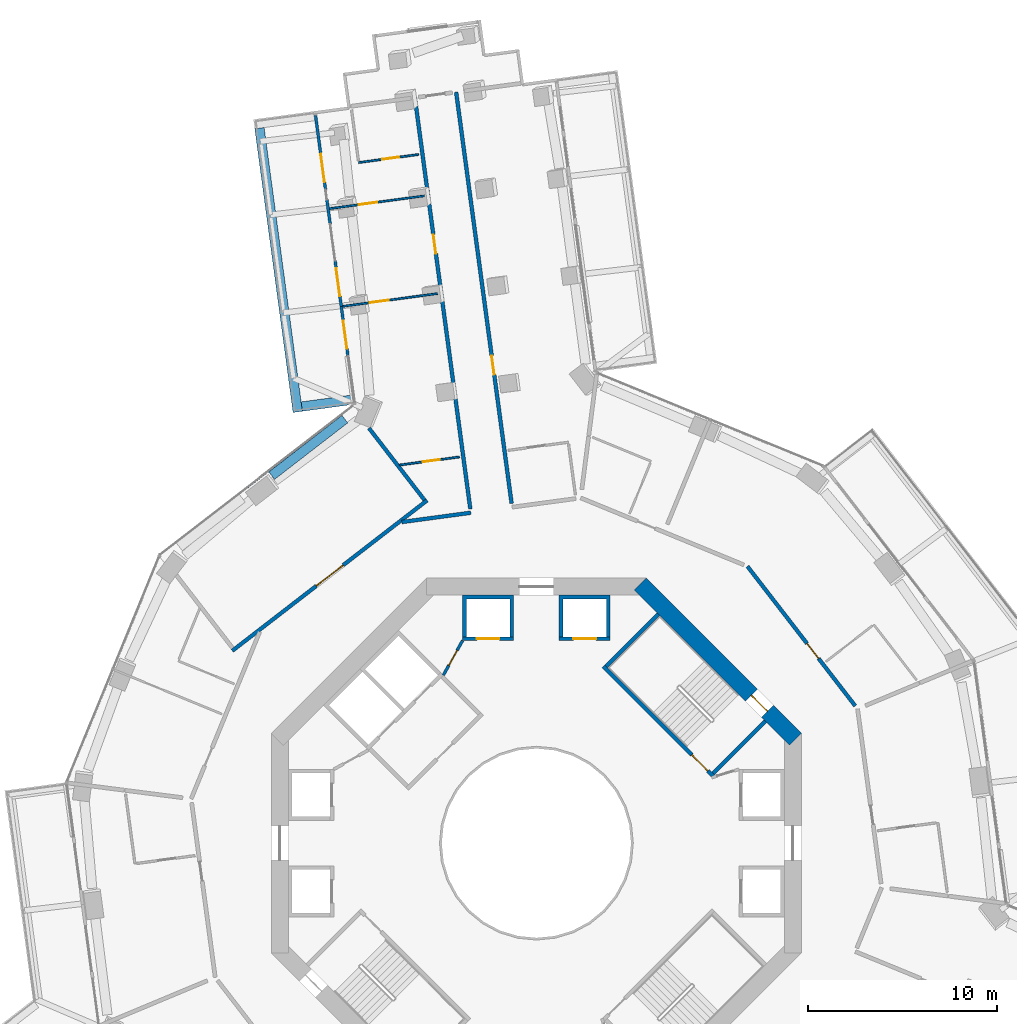
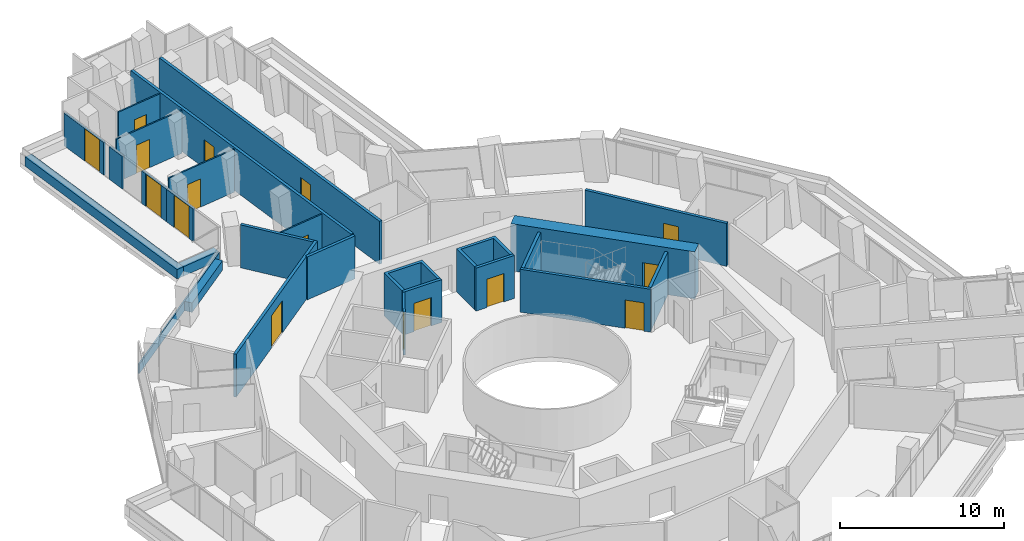
# One storey, part 22 of 27: 27 walls, 16 doors, 16 openings.
"""IFC4 building model written with IfcOpenShell, lengths in metres."""

from ifc_helpers import new_model, si_unit, direction, frame, frame_2d, origin, place, context, subcontext, project, spatial, polyline, rectangle, outline, extrude, material, layer, layer_set, type_object, element, fill, save


model = new_model("IFC4")

# Units and contexts
model_context = context("Model", 3, precision=1e-05, world=origin(), true_north=direction((0.0, 1.0)))
body_context = subcontext(model_context, "Body", "Model", "MODEL_VIEW")
ifc_project = project(units=[si_unit("LENGTHUNIT", "METRE"), si_unit("AREAUNIT", "SQUARE_METRE"), si_unit("VOLUMEUNIT", "CUBIC_METRE"), si_unit("PLANEANGLEUNIT", "RADIAN"), si_unit("MASSUNIT", "GRAM", prefix="KILO")], contexts=[model_context])

# Site, building, storey
site_placement = place(None, origin())
site = spatial("IfcSite", under=ifc_project, at=site_placement, CompositionType="ELEMENT")
building_placement = place(site_placement, origin())
building = spatial("IfcBuilding", under=site, at=building_placement, Name="Verdalira Terraces Hotel", CompositionType="ELEMENT")
storey_placement = place(building_placement, frame((0.0, 0.0, 64.5)))
storey = spatial("IfcBuildingStorey", under=building, at=storey_placement, Name="L14", CompositionType="ELEMENT", Elevation=64.5)

# Walls
ifc_material_1 = material(Name="Concrete C40", Category="concrete")
ifc_layer_1 = layer(ifc_material_1, 0.5)
ifc_layer_set_1 = layer_set([ifc_layer_1], Name="Balcony planter trough with tree")
wall_type_1 = type_object("IfcWallType", Name="Balcony planter trough with tree", PredefinedType="SOLIDWALL", material=ifc_layer_set_1)
wall_1_placement = place(storey_placement, frame((-14.62793, 37.763184, 0.0), z_axis=(0.0, 0.0, 1.0), x_axis=(0.133638906, -0.991030092, 0.0)))
element("IfcWall", 1, at=wall_1_placement, inside=storey, type_object=wall_type_1, Name="Balcony planter", PredefinedType="SOLIDWALL", context=body_context, shape_type="SweptSolid", body=[
    extrude(rectangle(XDim=15.121094, YDim=0.5, at=frame_2d((7.560547, 0.0))), origin(), (0.0, 0.0, 1.0), 0.699951),
])
wall_2_placement = place(storey_placement, frame((-12.392822, 23.059082, 0.0), z_axis=(0.0, 0.0, 1.0), x_axis=(0.991034883, 0.13360337, 0.0)))
element("IfcWall", 2, at=wall_2_placement, inside=storey, type_object=wall_type_1, Name="Balcony planter", PredefinedType="SOLIDWALL", context=body_context, shape_type="SweptSolid", body=[
    extrude(rectangle(XDim=2.698975, YDim=0.5, at=frame_2d((1.349609, 0.0))), origin(), (0.0, 0.0, 1.0), 0.699951),
])

# Wall, opening, door
ifc_material_2 = material(Name="Moisture-resistant gypsum board partition")
ifc_layer_2 = layer(ifc_material_2, 0.10009765625)
ifc_layer_set_2 = layer_set([ifc_layer_2], Name="Bathroom partition 100 mm")
wall_type_2 = type_object("IfcWallType", Name="Bathroom partition 100 mm", PredefinedType="PARTITIONING", material=ifc_layer_set_2)
wall_3_placement = place(storey_placement, frame((-10.926758, 33.512695, 0.0), z_axis=(0.0, 0.0, 1.0), x_axis=(0.991031751, 0.133626604, 0.0)))
wall_3 = element("IfcWall", 3, at=wall_3_placement, inside=storey, type_object=wall_type_2, Name="Bathroom partition", PredefinedType="PARTITIONING", context=body_context, shape_type="SweptSolid", body=[
    extrude(rectangle(XDim=5.050049, YDim=0.100098, at=frame_2d((2.524902, 0.0))), origin(), (0.0, 0.0, 1.0), 3.189941),
])
opening_1_placement = place(wall_3_placement, frame((1.550049, 0.0, 0.0)))
opening_1 = element("IfcOpeningElement", 4, at=opening_1_placement, cuts=wall_3, Name="Opening L14-105", PredefinedType="OPENING", context=body_context, shape_type="SweptSolid", body=[
    extrude(rectangle(XDim=1.0, YDim=2.100098, at=frame_2d((0.5, 1.050049))), frame((0.0, 0.060059, 0.0), z_axis=(0.0, -1.0, 0.0), x_axis=(1.0, 0.0, 0.0)), (0.0, 0.0, 1.0), 0.120117),
])
ifc_material_3 = material(Name="Timber door", Category="wood")
door_type_1 = type_object("IfcDoorType", Name="Suite internal door 1000 x 2100", OperationType="NOTDEFINED", PredefinedType="DOOR", material=ifc_material_3)
door_1_placement = place(opening_1_placement, origin())
door_1 = element("IfcDoor", 5, at=door_1_placement, inside=storey, type_object=door_type_1, Name="Suite internal door 1403", OperationType="SINGLE_SWING_LEFT", OverallHeight=2.10009765625, OverallWidth=1.0, PredefinedType="DOOR", context=body_context, shape_type="SweptSolid", body=[
    extrude(rectangle(XDim=1.0, YDim=2.100098, at=frame_2d((0.5, 1.050049))), frame((0.0, 0.024902, 0.0), z_axis=(0.0, -1.0, 0.0), x_axis=(1.0, 0.0, 0.0)), (0.0, 0.0, 1.0), 0.050049),
])
fill(opening_1, door_1)

wall_4_placement = place(storey_placement, frame((-9.388184, 35.947021, 0.0), z_axis=(0.0, 0.0, 1.0), x_axis=(0.991026877, 0.133662747, 0.0)))
wall_4 = element("IfcWall", 6, at=wall_4_placement, inside=storey, type_object=wall_type_2, Name="Bathroom partition", PredefinedType="PARTITIONING", context=body_context, shape_type="SweptSolid", body=[
    extrude(rectangle(XDim=3.200195, YDim=0.100098, at=frame_2d((1.600098, 0.0))), origin(), (0.0, 0.0, 1.0), 3.189941),
])
opening_2_placement = place(wall_4_placement, frame((1.25, 0.0, 0.0)))
opening_2 = element("IfcOpeningElement", 7, at=opening_2_placement, cuts=wall_4, Name="Opening L14-107", PredefinedType="OPENING", context=body_context, shape_type="SweptSolid", body=[
    extrude(rectangle(XDim=0.899902, YDim=2.100098, at=frame_2d((0.449951, 1.050049))), frame((0.0, 0.060059, 0.0), z_axis=(0.0, -1.0, 0.0), x_axis=(1.0, 0.0, 0.0)), (0.0, 0.0, 1.0), 0.120117),
])
ifc_material_4 = material(Name="Timber door", Category="wood")
door_type_2 = type_object("IfcDoorType", Name="Bathroom door 900 x 2100", OperationType="NOTDEFINED", PredefinedType="DOOR", material=ifc_material_4)
door_2_placement = place(opening_2_placement, origin())
door_2 = element("IfcDoor", 8, at=door_2_placement, inside=storey, type_object=door_type_2, Name="Bathroom door 1403", OperationType="SINGLE_SWING_LEFT", OverallHeight=2.10009765625, OverallWidth=0.89990234375, PredefinedType="DOOR", context=body_context, shape_type="SweptSolid", body=[
    extrude(rectangle(XDim=0.899902, YDim=2.100098, at=frame_2d((0.449951, 1.050049))), frame((0.0, 0.024902, 0.0), z_axis=(0.0, -1.0, 0.0), x_axis=(1.0, 0.0, 0.0)), (0.0, 0.0, 1.0), 0.050049),
])
fill(opening_2, door_2)

wall_5_placement = place(storey_placement, frame((-5.226074, 29.027344, 0.0), z_axis=(0.0, 0.0, 1.0), x_axis=(-0.991025347, -0.133674086, 0.0)))
wall_5 = element("IfcWall", 9, at=wall_5_placement, inside=storey, type_object=wall_type_2, Name="Bathroom partition", PredefinedType="PARTITIONING", context=body_context, shape_type="SweptSolid", body=[
    extrude(rectangle(XDim=5.050049, YDim=0.100098, at=frame_2d((2.524902, 0.0))), origin(), (0.0, 0.0, 1.0), 3.189941),
])
opening_3_placement = place(wall_5_placement, frame((2.600098, 0.0, 0.0)))
opening_3 = element("IfcOpeningElement", 10, at=opening_3_placement, cuts=wall_5, Name="Opening L14-106", PredefinedType="OPENING", context=body_context, shape_type="SweptSolid", body=[
    extrude(rectangle(XDim=1.0, YDim=2.100098, at=frame_2d((0.5, 1.050049))), frame((0.0, 0.060059, 0.0), z_axis=(0.0, -1.0, 0.0), x_axis=(1.0, 0.0, 0.0)), (0.0, 0.0, 1.0), 0.120117),
])
door_3_placement = place(opening_3_placement, origin())
door_3 = element("IfcDoor", 11, at=door_3_placement, inside=storey, type_object=door_type_1, Name="Suite internal door 1403", OperationType="SINGLE_SWING_LEFT", OverallHeight=2.10009765625, OverallWidth=1.0, PredefinedType="DOOR", context=body_context, shape_type="SweptSolid", body=[
    extrude(rectangle(XDim=1.0, YDim=2.100098, at=frame_2d((0.5, 1.050049))), frame((0.0, 0.024902, 0.0), z_axis=(0.0, -1.0, 0.0), x_axis=(1.0, 0.0, 0.0)), (0.0, 0.0, 1.0), 0.050049),
])
fill(opening_3, door_3)

wall_6_placement = place(storey_placement, frame((-4.0625, 20.398438, 0.0), z_axis=(0.0, 0.0, 1.0), x_axis=(-0.991022786, -0.133693072, 0.0)))
wall_6 = element("IfcWall", 12, at=wall_6_placement, inside=storey, type_object=wall_type_2, Name="Bathroom partition", PredefinedType="PARTITIONING", context=body_context, shape_type="SweptSolid", body=[
    extrude(rectangle(XDim=3.199463, YDim=0.100098, at=frame_2d((1.599609, 0.0))), origin(), (0.0, 0.0, 1.0), 3.189941),
])
opening_4_placement = place(wall_6_placement, frame((1.050049, 0.0, 0.0)))
opening_4 = element("IfcOpeningElement", 13, at=opening_4_placement, cuts=wall_6, Name="Opening L14-108", PredefinedType="OPENING", context=body_context, shape_type="SweptSolid", body=[
    extrude(rectangle(XDim=0.899902, YDim=2.100098, at=frame_2d((0.449951, 1.050049))), frame((0.0, 0.060059, 0.0), z_axis=(0.0, -1.0, 0.0), x_axis=(1.0, 0.0, 0.0)), (0.0, 0.0, 1.0), 0.120117),
])
door_4_placement = place(opening_4_placement, origin())
door_4 = element("IfcDoor", 14, at=door_4_placement, inside=storey, type_object=door_type_2, Name="Bathroom door 1403", OperationType="SINGLE_SWING_RIGHT", OverallHeight=2.10009765625, OverallWidth=0.89990234375, PredefinedType="DOOR", context=body_context, shape_type="SweptSolid", body=[
    extrude(rectangle(XDim=0.899902, YDim=2.100098, at=frame_2d((0.449951, 1.050049))), frame((0.0, 0.024902, 0.0), z_axis=(0.0, -1.0, 0.0), x_axis=(1.0, 0.0, 0.0)), (0.0, 0.0, 1.0), 0.050049),
])
fill(opening_4, door_4)

# Wall
ifc_material_5 = material(Name="Concrete C50", Category="concrete")
ifc_layer_3 = layer(ifc_material_5, 0.199951171875)
ifc_layer_set_3 = layer_set([ifc_layer_3], Name="Core RC wall 200 C50")
wall_type_3 = type_object("IfcWallType", Name="Core RC wall 200 C50", PredefinedType="SOLIDWALL", material=ifc_layer_set_3)
wall_7_placement = place(storey_placement, origin())
element("IfcWall", 15, at=wall_7_placement, inside=storey, type_object=wall_type_3, Name="L14 shaft wall N1", PredefinedType="SOLIDWALL", context=body_context, shape_type="SweptSolid", body=[
    extrude(outline(polyline([(3.899902, 13.100098), (3.899902, 10.899902), (3.699951, 10.899902), (3.699951, 12.899902), (1.399902, 12.899902), (1.399902, 10.899902), (1.199951, 10.899902), (1.199951, 13.100098), (3.899902, 13.100098)])), origin(), (0.0, 0.0, 1.0), 3.189941),
])

# Wall, opening, door
wall_8_placement = place(storey_placement, frame((1.199951, 10.800049, 0.0), z_axis=(0.0, 0.0, 1.0), x_axis=(1.0, 0.0, 0.0)))
wall_8 = element("IfcWall", 16, at=wall_8_placement, inside=storey, type_object=wall_type_3, Name="L14 shaft front wall N1", PredefinedType="SOLIDWALL", context=body_context, shape_type="SweptSolid", body=[
    extrude(rectangle(XDim=2.699951, YDim=0.199951, at=frame_2d((1.350098, 0.0))), origin(), (0.0, 0.0, 1.0), 3.189941),
])
opening_5_placement = place(wall_8_placement, frame((0.75, 0.0, 0.0)))
opening_5 = element("IfcOpeningElement", 17, at=opening_5_placement, cuts=wall_8, Name="Opening LD-L14-803", PredefinedType="OPENING", context=body_context, shape_type="SweptSolid", body=[
    extrude(rectangle(XDim=1.199951, YDim=2.100098, at=frame_2d((0.600098, 1.050049))), frame((0.0, 0.109863, 0.0), z_axis=(0.0, -1.0, 0.0), x_axis=(1.0, 0.0, 0.0)), (0.0, 0.0, 1.0), 0.219971),
])
ifc_material_6 = material(Name="Stainless steel", Category="steel")
door_type_3 = type_object("IfcDoorType", Name="Landing door 1200 x 2100", OperationType="NOTDEFINED", PredefinedType="DOOR", material=ifc_material_6)
door_5_placement = place(opening_5_placement, origin())
door_5 = element("IfcDoor", 18, at=door_5_placement, inside=storey, type_object=door_type_3, Name="Lift landing door LR3 L14", OperationType="DOUBLE_DOOR_SLIDING", OverallHeight=2.10009765625, OverallWidth=1.199951171875, PredefinedType="DOOR", context=body_context, shape_type="SweptSolid", body=[
    extrude(rectangle(XDim=1.199951, YDim=2.100098, at=frame_2d((0.600098, 1.050049))), frame((0.0, 0.024902, 0.0), z_axis=(0.0, -1.0, 0.0), x_axis=(1.0, 0.0, 0.0)), (0.0, 0.0, 1.0), 0.050049),
])
fill(opening_5, door_5)

# Wall
wall_9_placement = place(storey_placement, origin())
element("IfcWall", 19, at=wall_9_placement, inside=storey, type_object=wall_type_3, Name="L14 shaft wall N2", PredefinedType="SOLIDWALL", context=body_context, shape_type="SweptSolid", body=[
    extrude(outline(polyline([(-3.899902, 10.899902), (-3.899902, 13.100098), (-1.199951, 13.100098), (-1.199951, 10.899902), (-1.399902, 10.899902), (-1.399902, 12.899902), (-3.699951, 12.899902), (-3.699951, 10.899902), (-3.899902, 10.899902)])), origin(), (0.0, 0.0, 1.0), 3.189941),
])

# Wall, opening, door
wall_10_placement = place(storey_placement, frame((-1.199951, 10.800049, 0.0), z_axis=(0.0, 0.0, 1.0), x_axis=(-1.0, 0.0, 0.0)))
wall_10 = element("IfcWall", 20, at=wall_10_placement, inside=storey, type_object=wall_type_3, Name="L14 shaft front wall N2", PredefinedType="SOLIDWALL", context=body_context, shape_type="SweptSolid", body=[
    extrude(rectangle(XDim=2.699951, YDim=0.199951, at=frame_2d((1.350098, 0.0))), origin(), (0.0, 0.0, 1.0), 3.189941),
])
opening_6_placement = place(wall_10_placement, frame((0.75, 0.0, 0.0)))
opening_6 = element("IfcOpeningElement", 21, at=opening_6_placement, cuts=wall_10, Name="Opening LD-L14-804", PredefinedType="OPENING", context=body_context, shape_type="SweptSolid", body=[
    extrude(rectangle(XDim=1.199951, YDim=2.100098, at=frame_2d((0.600098, 1.050049))), frame((0.0, 0.109863, 0.0), z_axis=(0.0, -1.0, 0.0), x_axis=(1.0, 0.0, 0.0)), (0.0, 0.0, 1.0), 0.219971),
])
door_6_placement = place(opening_6_placement, origin())
door_6 = element("IfcDoor", 22, at=door_6_placement, inside=storey, type_object=door_type_3, Name="Lift landing door LR4 L14", OperationType="DOUBLE_DOOR_SLIDING", OverallHeight=2.10009765625, OverallWidth=1.199951171875, PredefinedType="DOOR", context=body_context, shape_type="SweptSolid", body=[
    extrude(rectangle(XDim=1.199951, YDim=2.100098, at=frame_2d((0.600098, 1.050049))), frame((0.0, 0.024902, 0.0), z_axis=(0.0, -1.0, 0.0), x_axis=(1.0, 0.0, 0.0)), (0.0, 0.0, 1.0), 0.050049),
])
fill(opening_6, door_6)

wall_11_placement = place(storey_placement, frame((3.5354, 9.33374, 0.0), z_axis=(0.0, 0.0, 1.0), x_axis=(0.707106781, -0.707106781, 0.0)))
wall_11 = element("IfcWall", 23, at=wall_11_placement, inside=storey, type_object=wall_type_3, Name="L14 stair ST1 front wall", PredefinedType="SOLIDWALL", context=body_context, shape_type="SweptSolid", body=[
    extrude(rectangle(XDim=8.200195, YDim=0.199951, at=frame_2d((4.100098, 0.0))), origin(), (0.0, 0.0, 1.0), 3.189941),
])
opening_7_placement = place(wall_11_placement, frame((6.600098, 0.0, 0.0)))
opening_7 = element("IfcOpeningElement", 24, at=opening_7_placement, cuts=wall_11, Name="Opening L14-809", PredefinedType="OPENING", context=body_context, shape_type="SweptSolid", body=[
    extrude(rectangle(XDim=1.199951, YDim=2.100098, at=frame_2d((0.600098, 1.050049))), frame((0.0, 0.109863, 0.0), z_axis=(0.0, -1.0, 0.0), x_axis=(1.0, 0.0, 0.0)), (0.0, 0.0, 1.0), 0.219971),
])
ifc_material_7 = material(Name="Steel fire door", Category="steel")
door_type_4 = type_object("IfcDoorType", Name="Stair door 1200 x 2100", OperationType="NOTDEFINED", PredefinedType="DOOR", material=ifc_material_7)
door_7_placement = place(opening_7_placement, origin())
door_7 = element("IfcDoor", 25, at=door_7_placement, inside=storey, type_object=door_type_4, Name="Stair door ST1 L14", OperationType="SINGLE_SWING_RIGHT", OverallHeight=2.10009765625, OverallWidth=1.199951171875, PredefinedType="DOOR", context=body_context, shape_type="SweptSolid", body=[
    extrude(rectangle(XDim=1.199951, YDim=2.100098, at=frame_2d((0.600098, 1.050049))), frame((0.0, 0.024902, 0.0), z_axis=(0.0, -1.0, 0.0), x_axis=(1.0, 0.0, 0.0)), (0.0, 0.0, 1.0), 0.050049),
])
fill(opening_7, door_7)

# Walls
for number, where, z_axis, x_axis, name in (
    (26, (9.33374, 3.677002, 0.0), (0.0, 0.0, 1.0), (0.707106781, 0.707106781, 0.0), "L14 stair ST1 end wall 1"),
    (27, (3.677002, 9.33374, 0.0), (0.0, 0.0, 1.0), (0.707106781, 0.707106781, 0.0), "L14 stair ST1 end wall 2"),
):
    element("IfcWall", number, at=place(storey_placement, frame(where, z_axis=z_axis, x_axis=x_axis)), inside=storey, type_object=wall_type_3, Name=name, PredefinedType="SOLIDWALL", context=body_context, shape_type="SweptSolid", body=[
        extrude(rectangle(XDim=3.900146, YDim=0.199951, at=frame_2d((1.950195, 0.0))), origin(), (0.0, 0.0, 1.0), 3.189941),
    ])

# Wall, opening, door
ifc_material_8 = material(Name="Gypsum board partition")
ifc_layer_4 = layer(ifc_material_8, 0.14990234375)
ifc_layer_set_4 = layer_set([ifc_layer_4], Name="Core partition 150 mm")
wall_type_4 = type_object("IfcWallType", Name="Core partition 150 mm", PredefinedType="PARTITIONING", material=ifc_layer_set_4)
wall_12_placement = place(storey_placement, frame((-3.899902, 10.699951, 0.0), z_axis=(0.0, 0.0, 1.0), x_axis=(-0.485692555, -0.874129705, 0.0)))
wall_12 = element("IfcWall", 28, at=wall_12_placement, inside=storey, type_object=wall_type_4, Name="Room partition L14", PredefinedType="PARTITIONING", context=body_context, shape_type="SweptSolid", body=[
    extrude(rectangle(XDim=2.088623, YDim=0.149902, at=frame_2d((1.044434, 0.0))), origin(), (0.0, 0.0, 1.0), 3.189941),
])
opening_8_placement = place(wall_12_placement, frame((0.594238, 0.0, 0.0)))
opening_8 = element("IfcOpeningElement", 29, at=opening_8_placement, cuts=wall_12, Name="Opening L14-821", PredefinedType="OPENING", context=body_context, shape_type="SweptSolid", body=[
    extrude(rectangle(XDim=0.899902, YDim=2.100098, at=frame_2d((0.449951, 1.050049))), frame((0.0, 0.084961, 0.0), z_axis=(0.0, -1.0, 0.0), x_axis=(1.0, 0.0, 0.0)), (0.0, 0.0, 1.0), 0.169922),
])
ifc_material_9 = material(Name="Steel fire door", Category="steel")
door_type_5 = type_object("IfcDoorType", Name="Core room door 900 x 2100", OperationType="NOTDEFINED", PredefinedType="DOOR", material=ifc_material_9)
door_8_placement = place(opening_8_placement, origin())
door_8 = element("IfcDoor", 30, at=door_8_placement, inside=storey, type_object=door_type_5, Name="Door L14 room2", OperationType="SINGLE_SWING_LEFT", OverallHeight=2.10009765625, OverallWidth=0.89990234375, PredefinedType="DOOR", context=body_context, shape_type="SweptSolid", body=[
    extrude(rectangle(XDim=0.899902, YDim=2.100098, at=frame_2d((0.449951, 1.050049))), frame((0.0, 0.024902, 0.0), z_axis=(0.0, -1.0, 0.0), x_axis=(1.0, 0.0, 0.0)), (0.0, 0.0, 1.0), 0.050049),
])
fill(opening_8, door_8)

ifc_material_10 = material(Name="Concrete C70", Category="concrete")
ifc_layer_5 = layer(ifc_material_10, 0.89990234375)
ifc_layer_set_5 = layer_set([ifc_layer_5], Name="Core wall 900 C70")
wall_type_5 = type_object("IfcWallType", Name="Core wall 900 C70", PredefinedType="SHEAR", material=ifc_layer_set_5)
wall_13_placement = place(storey_placement, frame((13.681885, 5.480713, 0.0), z_axis=(0.0, 0.0, 1.0), x_axis=(-0.707106781, 0.707106781, 0.0)))
wall_13 = element("IfcWall", 31, at=wall_13_placement, inside=storey, type_object=wall_type_5, Name="Core wall CW-L14-2", PredefinedType="SHEAR", context=body_context, shape_type="SweptSolid", body=[
    extrude(rectangle(XDim=11.598145, YDim=0.899902, at=frame_2d((5.799072, 0.0))), origin(), (0.0, 0.0, 1.0), 3.5),
])
opening_9_placement = place(wall_13_placement, frame((2.099121, 0.0, 0.0)))
opening_9 = element("IfcOpeningElement", 32, at=opening_9_placement, cuts=wall_13, Name="Opening L14-816", PredefinedType="OPENING", context=body_context, shape_type="SweptSolid", body=[
    extrude(rectangle(XDim=1.199951, YDim=2.100098, at=frame_2d((0.600098, 1.050049))), frame((0.0, 0.459961, 0.0), z_axis=(0.0, -1.0, 0.0), x_axis=(1.0, 0.0, 0.0)), (0.0, 0.0, 1.0), 0.919922),
])
door_9_placement = place(opening_9_placement, origin())
door_9 = element("IfcDoor", 33, at=door_9_placement, inside=storey, type_object=door_type_4, Name="Stair exit door ST1 L14", OperationType="SINGLE_SWING_LEFT", OverallHeight=2.10009765625, OverallWidth=1.199951171875, PredefinedType="DOOR", context=body_context, shape_type="SweptSolid", body=[
    extrude(rectangle(XDim=1.199951, YDim=2.100098, at=frame_2d((0.600098, 1.050049))), frame((0.0, 0.024902, 0.0), z_axis=(0.0, -1.0, 0.0), x_axis=(1.0, 0.0, 0.0)), (0.0, 0.0, 1.0), 0.050049),
])
fill(opening_9, door_9)

# Wall
ifc_material_11 = material(Name="Fire-rated gypsum board wall")
ifc_layer_6 = layer(ifc_material_11, 0.199951171875)
ifc_layer_set_6 = layer_set([ifc_layer_6], Name="Guest corridor wall 200 mm")
wall_type_6 = type_object("IfcWallType", Name="Guest corridor wall 200 mm", PredefinedType="SOLIDWALL", material=ifc_layer_set_6)
wall_14_placement = place(storey_placement, frame((-3.463379, 17.451904, 0.0), z_axis=(0.0, 0.0, 1.0), x_axis=(-0.991033807, -0.133611349, 0.0)))
element("IfcWall", 34, at=wall_14_placement, inside=storey, type_object=wall_type_6, Name="Guest corridor wall", PredefinedType="SOLIDWALL", context=body_context, shape_type="SweptSolid", body=[
    extrude(rectangle(XDim=3.678223, YDim=0.199951, at=frame_2d((1.839111, 0.0))), origin(), (0.0, 0.0, 1.0), 3.189941),
])

# Wall, opening, door
wall_15_placement = place(storey_placement, frame((-3.48999, 17.650146, 0.0), z_axis=(0.0, 0.0, 1.0), x_axis=(-0.133647408, 0.991028945, 0.0)))
wall_15 = element("IfcWall", 35, at=wall_15_placement, inside=storey, type_object=wall_type_6, Name="Guest corridor wall", PredefinedType="SOLIDWALL", context=body_context, shape_type="SweptSolid", body=[
    extrude(rectangle(XDim=21.920898, YDim=0.199951, at=frame_2d((10.960449, 0.0))), origin(), (0.0, 0.0, 1.0), 3.189941),
])
opening_10_placement = place(wall_15_placement, frame((13.606934, 0.0, 0.0)))
opening_10 = element("IfcOpeningElement", 36, at=opening_10_placement, cuts=wall_15, Name="Opening L14-104", PredefinedType="OPENING", context=body_context, shape_type="SweptSolid", body=[
    extrude(rectangle(XDim=1.0, YDim=2.100098, at=frame_2d((0.5, 1.050049))), frame((0.0, 0.109863, 0.0), z_axis=(0.0, -1.0, 0.0), x_axis=(1.0, 0.0, 0.0)), (0.0, 0.0, 1.0), 0.219971),
])
ifc_material_12 = material(Name="Timber fire door", Category="wood")
door_type_6 = type_object("IfcDoorType", Name="Guest entry door 1000 x 2100", OperationType="NOTDEFINED", PredefinedType="DOOR", material=ifc_material_12)
door_10_placement = place(opening_10_placement, origin())
door_10 = element("IfcDoor", 37, at=door_10_placement, inside=storey, type_object=door_type_6, Name="Guest entry door 1403", OperationType="SINGLE_SWING_LEFT", OverallHeight=2.10009765625, OverallWidth=1.0, PredefinedType="DOOR", context=body_context, shape_type="SweptSolid", body=[
    extrude(rectangle(XDim=1.0, YDim=2.100098, at=frame_2d((0.5, 1.050049))), frame((0.0, 0.024902, 0.0), z_axis=(0.0, -1.0, 0.0), x_axis=(1.0, 0.0, 0.0)), (0.0, 0.0, 1.0), 0.050049),
])
fill(opening_10, door_10)

wall_16_placement = place(storey_placement, frame((-4.239258, 39.668457, 0.0), z_axis=(0.0, 0.0, 1.0), x_axis=(0.133637945, -0.991030221, 0.0)))
wall_16 = element("IfcWall", 38, at=wall_16_placement, inside=storey, type_object=wall_type_6, Name="Guest corridor wall", PredefinedType="SOLIDWALL", context=body_context, shape_type="SweptSolid", body=[
    extrude(rectangle(XDim=21.920654, YDim=0.199951, at=frame_2d((10.960449, 0.0))), origin(), (0.0, 0.0, 1.0), 3.189941),
])
opening_11_placement = place(wall_16_placement, frame((14.050049, 0.0, 0.0)))
opening_11 = element("IfcOpeningElement", 39, at=opening_11_placement, cuts=wall_16, Name="Opening L14-101", PredefinedType="OPENING", context=body_context, shape_type="SweptSolid", body=[
    extrude(rectangle(XDim=1.0, YDim=2.100098, at=frame_2d((0.5, 1.050049))), frame((0.0, 0.109863, 0.0), z_axis=(0.0, -1.0, 0.0), x_axis=(1.0, 0.0, 0.0)), (0.0, 0.0, 1.0), 0.219971),
])
door_11_placement = place(opening_11_placement, origin())
door_11 = element("IfcDoor", 40, at=door_11_placement, inside=storey, type_object=door_type_6, Name="Guest entry door 1401", OperationType="SINGLE_SWING_LEFT", OverallHeight=2.10009765625, OverallWidth=1.0, PredefinedType="DOOR", context=body_context, shape_type="SweptSolid", body=[
    extrude(rectangle(XDim=1.0, YDim=2.100098, at=frame_2d((0.5, 1.050049))), frame((0.0, 0.024902, 0.0), z_axis=(0.0, -1.0, 0.0), x_axis=(1.0, 0.0, 0.0)), (0.0, 0.0, 1.0), 0.050049),
])
fill(opening_11, door_11)

wall_17_placement = place(storey_placement, frame((11.146484, 14.620361, 0.0), z_axis=(0.0, 0.0, 1.0), x_axis=(0.611244608, -0.791441741, 0.0)))
wall_17 = element("IfcWall", 41, at=wall_17_placement, inside=storey, type_object=wall_type_6, Name="Guest corridor wall", PredefinedType="SOLIDWALL", context=body_context, shape_type="SweptSolid", body=[
    extrude(rectangle(XDim=9.315918, YDim=0.199951, at=frame_2d((4.657959, 0.0))), origin(), (0.0, 0.0, 1.0), 3.189941),
])
opening_12_placement = place(wall_17_placement, frame((5.149902, 0.0, 0.0)))
opening_12 = element("IfcOpeningElement", 42, at=opening_12_placement, cuts=wall_17, Name="Opening L14-134", PredefinedType="OPENING", context=body_context, shape_type="SweptSolid", body=[
    extrude(rectangle(XDim=1.0, YDim=2.100098, at=frame_2d((0.5, 1.050049))), frame((0.0, 0.109863, 0.0), z_axis=(0.0, -1.0, 0.0), x_axis=(1.0, 0.0, 0.0)), (0.0, 0.0, 1.0), 0.219971),
])
door_12_placement = place(opening_12_placement, origin())
door_12 = element("IfcDoor", 43, at=door_12_placement, inside=storey, type_object=door_type_6, Name="Guest entry door 1415", OperationType="SINGLE_SWING_LEFT", OverallHeight=2.10009765625, OverallWidth=1.0, PredefinedType="DOOR", context=body_context, shape_type="SweptSolid", body=[
    extrude(rectangle(XDim=1.0, YDim=2.100098, at=frame_2d((0.5, 1.050049))), frame((0.0, 0.024902, 0.0), z_axis=(0.0, -1.0, 0.0), x_axis=(1.0, 0.0, 0.0)), (0.0, 0.0, 1.0), 0.050049),
])
fill(opening_12, door_12)

ifc_material_13 = material(Name="Terracotta cladding", Category="masonry")
ifc_layer_7 = layer(ifc_material_13, 0.199951171875)
ifc_layer_set_7 = layer_set([ifc_layer_7], Name="Loggia back wall 200")
wall_type_7 = type_object("IfcWallType", Name="Loggia back wall 200", PredefinedType="SOLIDWALL", material=ifc_layer_set_7)
wall_18_placement = place(storey_placement, frame((-16.060303, 10.160645, 0.0), z_axis=(0.0, 0.0, 1.0), x_axis=(0.791439855, 0.61124705, 0.0)))
wall_18 = element("IfcWall", 44, at=wall_18_placement, inside=storey, type_object=wall_type_7, Name="Loggia back wall", PredefinedType="SOLIDWALL", context=body_context, shape_type="SweptSolid", body=[
    extrude(rectangle(XDim=13.000244, YDim=0.199951, at=frame_2d((6.5, 0.0))), origin(), (0.0, 0.0, 1.0), 3.189941),
])
opening_13_placement = place(wall_18_placement, frame((5.600098, 0.0, 0.0)))
opening_13 = element("IfcOpeningElement", 45, at=opening_13_placement, cuts=wall_18, Name="Opening L14-L01", PredefinedType="OPENING", context=body_context, shape_type="SweptSolid", body=[
    extrude(rectangle(XDim=1.800049, YDim=2.399902, at=frame_2d((0.899902, 1.199951))), frame((0.0, 0.109863, 0.0), z_axis=(0.0, -1.0, 0.0), x_axis=(1.0, 0.0, 0.0)), (0.0, 0.0, 1.0), 0.219971),
])
ifc_material_14 = material(Name="Clear glass", Category="glass")
door_type_7 = type_object("IfcDoorType", Name="Garden double door 1800x2400", OperationType="NOTDEFINED", PredefinedType="DOOR", material=ifc_material_14)
door_13_placement = place(opening_13_placement, origin())
door_13 = element("IfcDoor", 46, at=door_13_placement, inside=storey, type_object=door_type_7, Name="Loggia double door", OperationType="DOUBLE_DOOR_SINGLE_SWING", OverallHeight=2.39990234375, OverallWidth=1.800048828125, PredefinedType="DOOR", context=body_context, shape_type="SweptSolid", body=[
    extrude(rectangle(XDim=1.800049, YDim=2.399902, at=frame_2d((0.899902, 1.199951))), frame((0.0, 0.024902, 0.0), z_axis=(0.0, -1.0, 0.0), x_axis=(1.0, 0.0, 0.0)), (0.0, 0.0, 1.0), 0.050049),
])
fill(opening_13, door_13)

# Walls
wall_19_placement = place(storey_placement, frame((-8.843262, 21.92041, 0.0), z_axis=(0.0, 0.0, 1.0), x_axis=(0.611262026, -0.791428288, 0.0)))
element("IfcWall", 47, at=wall_19_placement, inside=storey, type_object=wall_type_7, Name="Loggia side wall", PredefinedType="SOLIDWALL", context=body_context, shape_type="SweptSolid", body=[
    extrude(rectangle(XDim=4.795654, YDim=0.199951, at=frame_2d((2.397949, 0.0))), origin(), (0.0, 0.0, 1.0), 3.189941),
])
ifc_material_15 = material(Name="Concrete C40", Category="concrete")
ifc_layer_8 = layer(ifc_material_15, 0.5)
ifc_layer_set_8 = layer_set([ifc_layer_8], Name="Loggia planter trough with tree")
wall_type_8 = type_object("IfcWallType", Name="Loggia planter trough with tree", PredefinedType="SOLIDWALL", material=ifc_layer_set_8)
wall_20_placement = place(storey_placement, frame((-10.115967, 22.395996, 0.0), z_axis=(0.0, 0.0, 1.0), x_axis=(-0.791431205, -0.611258249, 0.0)))
element("IfcWall", 48, at=wall_20_placement, inside=storey, type_object=wall_type_8, Name="Loggia planter", PredefinedType="SOLIDWALL", context=body_context, shape_type="SweptSolid", body=[
    extrude(rectangle(XDim=4.883545, YDim=0.5, at=frame_2d((2.441895, 0.0))), origin(), (0.0, 0.0, 1.0), 0.699951),
])
ifc_material_16 = material(Name="Concrete C40", Category="concrete")
ifc_layer_9 = layer(ifc_material_16, 0.10009765625)
ifc_layer_set_9 = layer_set([ifc_layer_9], Name="Loggia upstand 100")
wall_type_9 = type_object("IfcWallType", Name="Loggia upstand 100", PredefinedType="SOLIDWALL", material=ifc_layer_set_9)
wall_21_placement = place(storey_placement, frame((-9.716309, 23.083496, 0.0), z_axis=(0.0, 0.0, 1.0), x_axis=(-0.791441368, -0.611245091, 0.0)))
element("IfcWall", 49, at=wall_21_placement, inside=storey, type_object=wall_type_9, Name="Loggia upstand", PredefinedType="SOLIDWALL", context=body_context, shape_type="SweptSolid", body=[
    extrude(rectangle(XDim=12.840088, YDim=0.100098, at=frame_2d((6.419922, 0.0))), origin(), (0.0, 0.0, 1.0), 0.699951),
])
ifc_material_17 = material(Name="Terracotta cladding", Category="masonry")
ifc_layer_10 = layer(ifc_material_17, 0.14990234375)
ifc_layer_set_10 = layer_set([ifc_layer_10], Name="Terracotta column pier 150")
wall_type_10 = type_object("IfcWallType", Name="Terracotta column pier 150", PredefinedType="SOLIDWALL", material=ifc_layer_set_10)
wall_22_placement = place(storey_placement, frame((-11.067871, 33.998047, 0.0), z_axis=(0.0, 0.0, 1.0), x_axis=(0.133740896, -0.991016333, 0.0)))
element("IfcWall", 50, at=wall_22_placement, inside=storey, type_object=wall_type_10, Name="Terracotta column pier", PredefinedType="SOLIDWALL", context=body_context, shape_type="SweptSolid", body=[
    extrude(rectangle(XDim=1.317871, YDim=0.149902, at=frame_2d((0.658936, 0.0))), origin(), (0.0, 0.0, 1.0), 2.425049),
])

# Wall, opening, door
ifc_material_18 = material(Name="Terracotta cladding", Category="masonry")
ifc_layer_11 = layer(ifc_material_18, 0.14990234375)
ifc_layer_set_11 = layer_set([ifc_layer_11], Name="Terracotta door pier 150")
wall_type_11 = type_object("IfcWallType", Name="Terracotta door pier 150", PredefinedType="SOLIDWALL", material=ifc_layer_set_11)
wall_23_placement = place(storey_placement, frame((-11.66748, 38.444824, 0.0), z_axis=(0.0, 0.0, 1.0), x_axis=(0.13367264, -0.991025542, 0.0)))
wall_23 = element("IfcWall", 51, at=wall_23_placement, inside=storey, type_object=wall_type_11, Name="Terracotta door pier", PredefinedType="SOLIDWALL", context=body_context, shape_type="SweptSolid", body=[
    extrude(rectangle(XDim=3.963379, YDim=0.149902, at=frame_2d((1.981689, 0.0))), origin(), (0.0, 0.0, 1.0), 2.425049),
])
opening_14_placement = place(wall_23_placement, frame((2.063477, 0.0, 0.0)))
opening_14 = element("IfcOpeningElement", 52, at=opening_14_placement, cuts=wall_23, Name="Opening L14-B04", PredefinedType="OPENING", context=body_context, shape_type="SweptSolid", body=[
    extrude(rectangle(XDim=1.5, YDim=2.399902, at=frame_2d((0.75, 1.199951))), frame((0.0, 0.084961, 0.0), z_axis=(0.0, -1.0, 0.0), x_axis=(1.0, 0.0, 0.0)), (0.0, 0.0, 1.0), 0.169922),
])
ifc_material_19 = material(Name="Clear glass", Category="glass")
door_type_8 = type_object("IfcDoorType", Name="Balcony sliding door 1500x2400", OperationType="NOTDEFINED", PredefinedType="DOOR", material=ifc_material_19)
door_14_placement = place(opening_14_placement, origin())
door_14 = element("IfcDoor", 53, at=door_14_placement, inside=storey, type_object=door_type_8, Name="Balcony sliding door", OperationType="SLIDING_TO_LEFT", OverallHeight=2.39990234375, OverallWidth=1.5, PredefinedType="DOOR", context=body_context, shape_type="SweptSolid", body=[
    extrude(rectangle(XDim=1.5, YDim=2.399902, at=frame_2d((0.75, 1.199951))), frame((0.0, 0.024902, 0.0), z_axis=(0.0, -1.0, 0.0), x_axis=(1.0, 0.0, 0.0)), (0.0, 0.0, 1.0), 0.050049),
])
fill(opening_14, door_14)

wall_24_placement = place(storey_placement, frame((-10.632568, 30.770508, 0.0), z_axis=(0.0, 0.0, 1.0), x_axis=(0.133619037, -0.991032771, 0.0)))
wall_24 = element("IfcWall", 54, at=wall_24_placement, inside=storey, type_object=wall_type_11, Name="Terracotta door pier", PredefinedType="SOLIDWALL", context=body_context, shape_type="SweptSolid", body=[
    extrude(rectangle(XDim=2.450195, YDim=0.149902, at=frame_2d((1.225098, 0.0))), origin(), (0.0, 0.0, 1.0), 2.425049),
])
opening_15_placement = place(wall_24_placement, frame((0.399902, 0.0, 0.0)))
opening_15 = element("IfcOpeningElement", 55, at=opening_15_placement, cuts=wall_24, Name="Opening L14-B05", PredefinedType="OPENING", context=body_context, shape_type="SweptSolid", body=[
    extrude(rectangle(XDim=1.5, YDim=2.399902, at=frame_2d((0.75, 1.199951))), frame((0.0, 0.084961, 0.0), z_axis=(0.0, -1.0, 0.0), x_axis=(1.0, 0.0, 0.0)), (0.0, 0.0, 1.0), 0.169922),
])
door_15_placement = place(opening_15_placement, origin())
door_15 = element("IfcDoor", 56, at=door_15_placement, inside=storey, type_object=door_type_8, Name="Balcony sliding door", OperationType="SLIDING_TO_RIGHT", OverallHeight=2.39990234375, OverallWidth=1.5, PredefinedType="DOOR", context=body_context, shape_type="SweptSolid", body=[
    extrude(rectangle(XDim=1.5, YDim=2.399902, at=frame_2d((0.75, 1.199951))), frame((0.0, 0.024902, 0.0), z_axis=(0.0, -1.0, 0.0), x_axis=(1.0, 0.0, 0.0)), (0.0, 0.0, 1.0), 0.050049),
])
fill(opening_15, door_15)

wall_25_placement = place(storey_placement, frame((-10.305176, 28.342285, 0.0), z_axis=(0.0, 0.0, 1.0), x_axis=(0.133646714, -0.991029039, 0.0)))
wall_25 = element("IfcWall", 57, at=wall_25_placement, inside=storey, type_object=wall_type_11, Name="Terracotta door pier", PredefinedType="SOLIDWALL", context=body_context, shape_type="SweptSolid", body=[
    extrude(rectangle(XDim=2.652344, YDim=0.149902, at=frame_2d((1.326172, 0.0))), origin(), (0.0, 0.0, 1.0), 2.425049),
])
opening_16_placement = place(wall_25_placement, frame((0.752441, 0.0, 0.0)))
opening_16 = element("IfcOpeningElement", 58, at=opening_16_placement, cuts=wall_25, Name="Opening L14-B06", PredefinedType="OPENING", context=body_context, shape_type="SweptSolid", body=[
    extrude(rectangle(XDim=1.5, YDim=2.399902, at=frame_2d((0.75, 1.199951))), frame((0.0, 0.084961, 0.0), z_axis=(0.0, -1.0, 0.0), x_axis=(1.0, 0.0, 0.0)), (0.0, 0.0, 1.0), 0.169922),
])
door_16_placement = place(opening_16_placement, origin())
door_16 = element("IfcDoor", 59, at=door_16_placement, inside=storey, type_object=door_type_8, Name="Balcony sliding door", OperationType="SLIDING_TO_LEFT", OverallHeight=2.39990234375, OverallWidth=1.5, PredefinedType="DOOR", context=body_context, shape_type="SweptSolid", body=[
    extrude(rectangle(XDim=1.5, YDim=2.399902, at=frame_2d((0.75, 1.199951))), frame((0.0, 0.024902, 0.0), z_axis=(0.0, -1.0, 0.0), x_axis=(1.0, 0.0, 0.0)), (0.0, 0.0, 1.0), 0.050049),
])
fill(opening_16, door_16)

save(model, "model.ifc")
